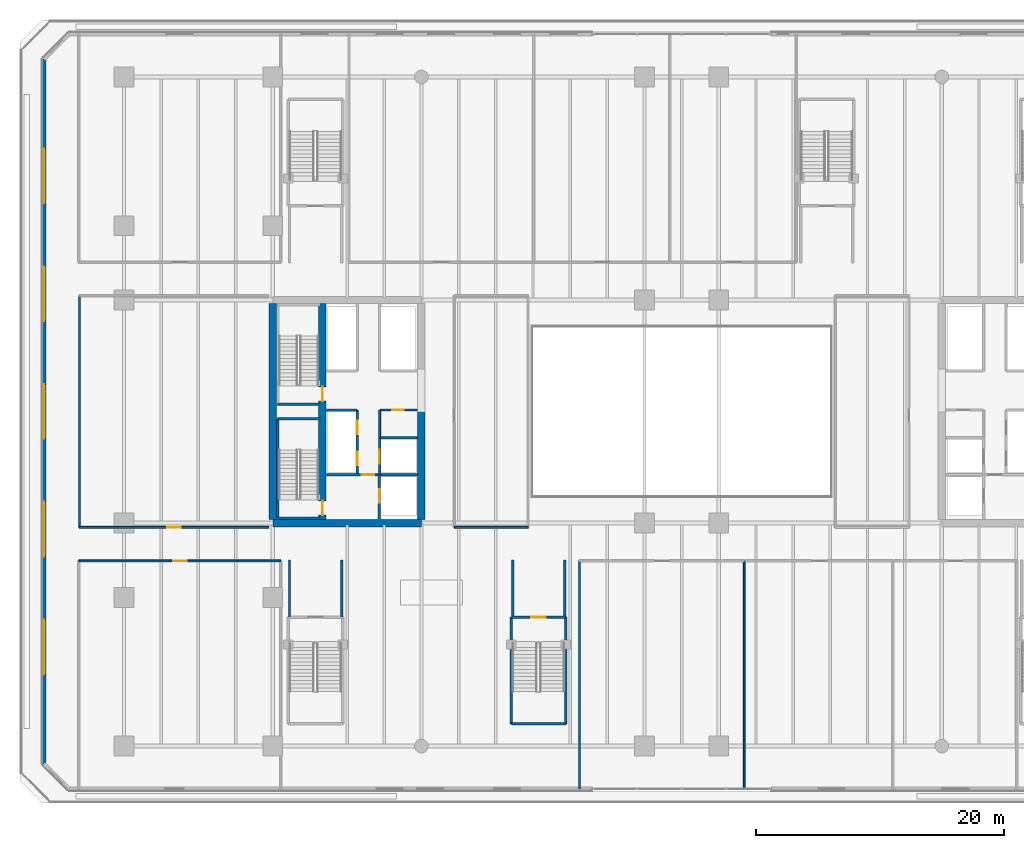
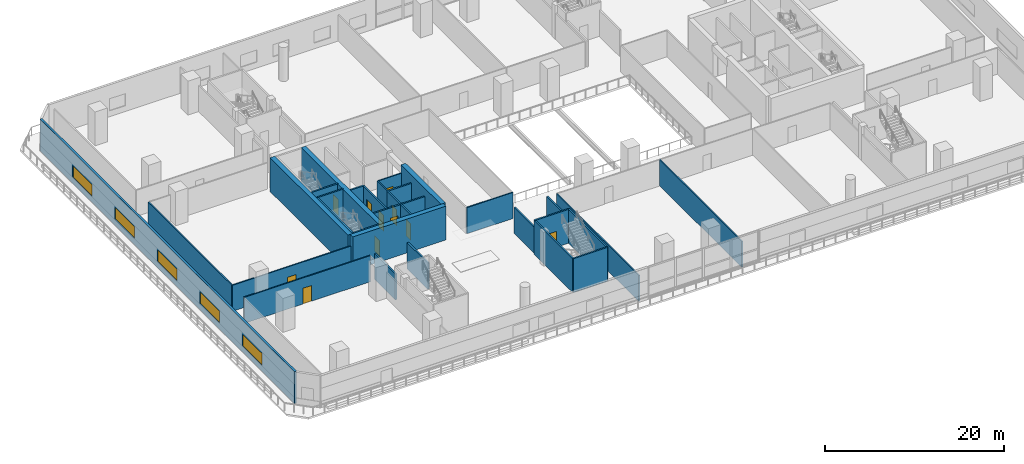
# One storey, part 10 of 27: 31 walls, 11 doors, 5 windows, 16 openings.
"""IFC4 building model written with IfcOpenShell, lengths in metres."""

from ifc_helpers import new_model, si_unit, direction, frame, frame_2d, origin, place, context, subcontext, project, spatial, rectangle, extrude, material, layer, layer_set, type_object, element, fill, save


model = new_model("IFC4")

# Units and contexts
model_context = context("Model", 3, precision=1e-05, world=origin(), true_north=direction((0.0, 1.0)))
body_context = subcontext(model_context, "Body", "Model", "MODEL_VIEW")
ifc_project = project(units=[si_unit("LENGTHUNIT", "METRE"), si_unit("AREAUNIT", "SQUARE_METRE"), si_unit("VOLUMEUNIT", "CUBIC_METRE"), si_unit("PLANEANGLEUNIT", "RADIAN"), si_unit("MASSUNIT", "GRAM", prefix="KILO")], contexts=[model_context])

# Site, building, storey
site_placement = place(None, origin())
site = spatial("IfcSite", under=ifc_project, at=site_placement, CompositionType="ELEMENT")
building_placement = place(site_placement, origin())
building = spatial("IfcBuilding", under=site, at=building_placement, Name="Tanjung Sevakor Pilgrim Tower", CompositionType="ELEMENT")
storey_placement = place(building_placement, frame((0.0, 0.0, 14.85009765625)))
storey = spatial("IfcBuildingStorey", under=building, at=storey_placement, Name="L04", CompositionType="ELEMENT", Elevation=14.85009765625)

# Walls
ifc_material_1 = material(Name="Concrete C60/75", Category="concrete")
ifc_layer_1 = layer(ifc_material_1, 0.60009765625)
ifc_layer_set_1 = layer_set([ifc_layer_1], Name="WALL-CW-600")
wall_type_1 = type_object("IfcWallType", Name="WALL-CW-600", PredefinedType="SHEAR", material=ifc_layer_set_1)
wall_1_placement = place(storey_placement, frame((24.0, 24.60009765625, 0.0), z_axis=(0.0, 0.0, 1.0), x_axis=(1.0, 0.0, 0.0)))
element("IfcWall", 1, at=wall_1_placement, inside=storey, type_object=wall_type_1, Name="L04 W Core South Shear Wall", PredefinedType="SHEAR", context=body_context, shape_type="SweptSolid", body=[
    extrude(rectangle(XDim=12.0, YDim=0.60009765625, at=frame_2d((6.0, 0.0))), origin(), (0.0, 0.0, 1.0), 4.619873046875),
])
wall_2_placement = place(storey_placement, frame((24.0, 24.89990234375, 0.0), z_axis=(0.0, 0.0, 1.0), x_axis=(0.0, 1.0, 0.0)))
element("IfcWall", 2, at=wall_2_placement, inside=storey, type_object=wall_type_1, Name="L04 W Core Outer Shear Wall", PredefinedType="SHEAR", context=body_context, shape_type="SweptSolid", body=[
    extrude(rectangle(XDim=17.400146484375, YDim=0.60009765625, at=frame_2d((8.7001953125, 0.0))), origin(), (0.0, 0.0, 1.0), 4.619873046875),
])
wall_3_placement = place(storey_placement, frame((36.0, 24.89990234375, 0.0), z_axis=(0.0, 0.0, 1.0), x_axis=(0.0, 1.0, 0.0)))
element("IfcWall", 3, at=wall_3_placement, inside=storey, type_object=wall_type_1, Name="L04 W Core Inner Shear Wall South", PredefinedType="SHEAR", context=body_context, shape_type="SweptSolid", body=[
    extrude(rectangle(XDim=8.900146484375, YDim=0.60009765625, at=frame_2d((4.4501953125, 0.0))), origin(), (0.0, 0.0, 1.0), 4.619873046875),
])

# Wall, openings, doors
wall_4_placement = place(storey_placement, frame((28.0, 24.89990234375, 0.0), z_axis=(0.0, 0.0, 1.0), x_axis=(0.0, 1.0, 0.0)))
wall_4 = element("IfcWall", 4, at=wall_4_placement, inside=storey, type_object=wall_type_1, Name="L04 W Core Stair Spine Wall", PredefinedType="SHEAR", context=body_context, shape_type="SweptSolid", body=[
    extrude(rectangle(XDim=17.400146484375, YDim=0.60009765625, at=frame_2d((8.7001953125, 0.0))), origin(), (0.0, 0.0, 1.0), 4.619873046875),
])
opening_1_placement = place(wall_4_placement, frame((0.35009765625, 0.0, 0.0)))
opening_1 = element("IfcOpeningElement", 5, at=opening_1_placement, cuts=wall_4, Name="Opening ID-ST1", PredefinedType="OPENING", context=body_context, shape_type="SweptSolid", body=[
    extrude(rectangle(XDim=1.14990234375, YDim=2.14990234375, at=frame_2d((0.574951171875, 1.074951171875))), frame((0.0, 0.31005859375, 0.0), z_axis=(0.0, -1.0, 0.0), x_axis=(1.0, 0.0, 0.0)), (0.0, 0.0, 1.0), 0.6201171875),
])
opening_2_placement = place(wall_4_placement, frame((9.550048828125, 0.0, 0.0)))
opening_2 = element("IfcOpeningElement", 6, at=opening_2_placement, cuts=wall_4, Name="Opening ID-ST1", PredefinedType="OPENING", context=body_context, shape_type="SweptSolid", body=[
    extrude(rectangle(XDim=1.14990234375, YDim=2.14990234375, at=frame_2d((0.574951171875, 1.074951171875))), frame((0.0, 0.31005859375, 0.0), z_axis=(0.0, -1.0, 0.0), x_axis=(1.0, 0.0, 0.0)), (0.0, 0.0, 1.0), 0.6201171875),
])
ifc_material_2 = material(Name="Fire-Rated Steel S355J2", Category="steel")
door_type_1 = type_object("IfcDoorType", Name="DT-FIRE-1150", OperationType="NOTDEFINED", PredefinedType="DOOR", material=ifc_material_2)
door_1_placement = place(opening_1_placement, origin())
door_1 = element("IfcDoor", 7, at=door_1_placement, inside=storey, type_object=door_type_1, Name="L04 TS-W1 Stair Fire Door", OperationType="SINGLE_SWING_RIGHT", OverallHeight=2.14990234375, OverallWidth=1.14990234375, PredefinedType="DOOR", context=body_context, shape_type="SweptSolid", body=[
    extrude(rectangle(XDim=1.14990234375, YDim=2.14990234375, at=frame_2d((0.574951171875, 1.074951171875))), frame((0.0, 0.02490234375, 0.0), z_axis=(0.0, -1.0, 0.0), x_axis=(1.0, 0.0, 0.0)), (0.0, 0.0, 1.0), 0.050048828125),
])
fill(opening_1, door_1)
door_2_placement = place(opening_2_placement, origin())
door_2 = element("IfcDoor", 8, at=door_2_placement, inside=storey, type_object=door_type_1, Name="L04 TS-W2 Stair Fire Door", OperationType="SINGLE_SWING_LEFT", OverallHeight=2.14990234375, OverallWidth=1.14990234375, PredefinedType="DOOR", context=body_context, shape_type="SweptSolid", body=[
    extrude(rectangle(XDim=1.14990234375, YDim=2.14990234375, at=frame_2d((0.574951171875, 1.074951171875))), frame((0.0, 0.02490234375, 0.0), z_axis=(0.0, -1.0, 0.0), x_axis=(1.0, 0.0, 0.0)), (0.0, 0.0, 1.0), 0.050048828125),
])
fill(opening_2, door_2)

# Wall
ifc_material_3 = material(Name="Concrete C40/50", Category="concrete")
ifc_layer_2 = layer(ifc_material_3, 0.14990234375)
ifc_layer_set_2 = layer_set([ifc_layer_2], Name="WT-COMP-150")
wall_type_2 = type_object("IfcWallType", Name="WT-COMP-150", PredefinedType="SOLIDWALL", material=ifc_layer_set_2)
wall_5_placement = place(storey_placement, frame((32.6201171875, 31.47998046875, 0.0), z_axis=(0.0, 0.0, 1.0), x_axis=(0.0, 1.0, 0.0)))
element("IfcWall", 9, at=wall_5_placement, inside=storey, type_object=wall_type_2, Name="L04 Partition IW-L04-007", PredefinedType="SOLIDWALL", context=body_context, shape_type="SweptSolid", body=[
    extrude(rectangle(XDim=2.239990234375, YDim=0.14990234375, at=frame_2d((1.1201171875, 0.0))), origin(), (0.0, 0.0, 1.0), 3.56005859375),
])

# Wall, opening, door
wall_6_placement = place(storey_placement, frame((32.679931640625, 33.719970703125, 0.0), z_axis=(0.0, 0.0, 1.0), x_axis=(1.0, 0.0, 0.0)))
wall_6 = element("IfcWall", 10, at=wall_6_placement, inside=storey, type_object=wall_type_2, Name="L04 Partition IW-L04-008", PredefinedType="SOLIDWALL", context=body_context, shape_type="SweptSolid", body=[
    extrude(rectangle(XDim=3.0, YDim=0.14990234375, at=frame_2d((1.5, 0.0))), origin(), (0.0, 0.0, 1.0), 3.56005859375),
])
opening_3_placement = place(wall_6_placement, frame((0.949951171875, 0.0, 0.0)))
opening_3 = element("IfcOpeningElement", 11, at=opening_3_placement, cuts=wall_6, Name="Opening ID-FD2", PredefinedType="OPENING", context=body_context, shape_type="SweptSolid", body=[
    extrude(rectangle(XDim=0.949951171875, YDim=2.14990234375, at=frame_2d((0.47509765625, 1.074951171875))), frame((0.0, 0.0849609375, 0.0), z_axis=(0.0, -1.0, 0.0), x_axis=(1.0, 0.0, 0.0)), (0.0, 0.0, 1.0), 0.169921875),
])
ifc_material_4 = material(Name="Fire-Rated Timber", Category="wood")
door_type_2 = type_object("IfcDoorType", Name="DT-FIRE-950", OperationType="NOTDEFINED", PredefinedType="DOOR", material=ifc_material_4)
door_3_placement = place(opening_3_placement, origin())
door_3 = element("IfcDoor", 12, at=door_3_placement, inside=storey, type_object=door_type_2, Name="L04 Accessible WC Door", OperationType="SINGLE_SWING_LEFT", OverallHeight=2.14990234375, OverallWidth=0.949951171875, PredefinedType="DOOR", context=body_context, shape_type="SweptSolid", body=[
    extrude(rectangle(XDim=0.949951171875, YDim=2.14990234375, at=frame_2d((0.47509765625, 1.074951171875))), frame((0.0, 0.02490234375, 0.0), z_axis=(0.0, -1.0, 0.0), x_axis=(1.0, 0.0, 0.0)), (0.0, 0.0, 1.0), 0.050048828125),
])
fill(opening_3, door_3)

wall_7_placement = place(storey_placement, frame((8.35009765625, 21.550048828125, 0.0), z_axis=(0.0, 0.0, 1.0), x_axis=(1.0, 0.0, 0.0)))
wall_7 = element("IfcWall", 13, at=wall_7_placement, inside=storey, type_object=wall_type_2, Name="L04 Partition IW-L04-037", PredefinedType="SOLIDWALL", context=body_context, shape_type="SweptSolid", body=[
    extrude(rectangle(XDim=16.2998046875, YDim=0.14990234375, at=frame_2d((8.14990234375, 0.0))), origin(), (0.0, 0.0, 1.0), 3.56005859375),
])
opening_4_placement = place(wall_7_placement, frame((7.60009765625, 0.0, 0.0)))
opening_4 = element("IfcOpeningElement", 14, at=opening_4_placement, cuts=wall_7, Name="Opening ID-RM2", PredefinedType="OPENING", context=body_context, shape_type="SweptSolid", body=[
    extrude(rectangle(XDim=1.10009765625, YDim=2.14990234375, at=frame_2d((0.550048828125, 1.074951171875))), frame((0.0, 0.0849609375, 0.0), z_axis=(0.0, -1.0, 0.0), x_axis=(1.0, 0.0, 0.0)), (0.0, 0.0, 1.0), 0.169921875),
])
ifc_material_5 = material(Name="Hardwood Timber", Category="wood")
door_type_3 = type_object("IfcDoorType", Name="DT-INT-1100", OperationType="NOTDEFINED", PredefinedType="DOOR", material=ifc_material_5)
door_4_placement = place(opening_4_placement, origin())
door_4 = element("IfcDoor", 15, at=door_4_placement, inside=storey, type_object=door_type_3, Name="L04 South Gallery Door 1", OperationType="SINGLE_SWING_RIGHT", OverallHeight=2.14990234375, OverallWidth=1.10009765625, PredefinedType="DOOR", context=body_context, shape_type="SweptSolid", body=[
    extrude(rectangle(XDim=1.10009765625, YDim=2.14990234375, at=frame_2d((0.550048828125, 1.074951171875))), frame((0.0, 0.02490234375, 0.0), z_axis=(0.0, -1.0, 0.0), x_axis=(1.0, 0.0, 0.0)), (0.0, 0.0, 1.0), 0.050048828125),
])
fill(opening_4, door_4)

# Walls
for number, where, z_axis, x_axis, name in (
    (16, (48.75, 3.139892578125, 0.0), (0.0, 0.0, 1.0), (0.0, 1.0, 0.0), "L04 Partition IW-L04-041"),
    (17, (62.050048828125, 3.139892578125, 0.0), (0.0, 0.0, 1.0), (0.0, 1.0, 0.0), "L04 Partition IW-L04-042"),
):
    element("IfcWall", number, at=place(storey_placement, frame(where, z_axis=z_axis, x_axis=x_axis)), inside=storey, type_object=wall_type_2, Name=name, PredefinedType="SOLIDWALL", context=body_context, shape_type="SweptSolid", body=[
        extrude(rectangle(XDim=18.41015625, YDim=0.14990234375, at=frame_2d((9.205078125, 0.0))), origin(), (0.0, 0.0, 1.0), 3.56005859375),
    ])
wall_8_placement = place(storey_placement, frame((38.64990234375, 24.25, 0.0), z_axis=(0.0, 0.0, 1.0), x_axis=(1.0, 0.0, 0.0)))
element("IfcWall", 18, at=wall_8_placement, inside=storey, type_object=wall_type_2, Name="L04 Partition IW-L04-061", PredefinedType="SOLIDWALL", context=body_context, shape_type="SweptSolid", body=[
    extrude(rectangle(XDim=5.9501953125, YDim=0.14990234375, at=frame_2d((2.97509765625, 0.0))), origin(), (0.0, 0.0, 1.0), 3.56005859375),
])

# Wall, opening, door
wall_9_placement = place(storey_placement, frame((8.39990234375, 24.25, 0.0), z_axis=(0.0, 0.0, 1.0), x_axis=(1.0, 0.0, 0.0)))
wall_9 = element("IfcWall", 19, at=wall_9_placement, inside=storey, type_object=wall_type_2, Name="L04 Partition IW-L04-069", PredefinedType="SOLIDWALL", context=body_context, shape_type="SweptSolid", body=[
    extrude(rectangle(XDim=15.280029296875, YDim=0.14990234375, at=frame_2d((7.64013671875, 0.0))), origin(), (0.0, 0.0, 1.0), 3.56005859375),
])
opening_5_placement = place(wall_9_placement, frame((7.090087890625, 0.0, 0.0)))
opening_5 = element("IfcOpeningElement", 20, at=opening_5_placement, cuts=wall_9, Name="Opening ID-RM2", PredefinedType="OPENING", context=body_context, shape_type="SweptSolid", body=[
    extrude(rectangle(XDim=1.10009765625, YDim=2.14990234375, at=frame_2d((0.550048828125, 1.074951171875))), frame((0.0, 0.0849609375, 0.0), z_axis=(0.0, -1.0, 0.0), x_axis=(1.0, 0.0, 0.0)), (0.0, 0.0, 1.0), 0.169921875),
])
door_5_placement = place(opening_5_placement, origin())
door_5 = element("IfcDoor", 21, at=door_5_placement, inside=storey, type_object=door_type_3, Name="L04 West Archive Door", OperationType="SINGLE_SWING_RIGHT", OverallHeight=2.14990234375, OverallWidth=1.10009765625, PredefinedType="DOOR", context=body_context, shape_type="SweptSolid", body=[
    extrude(rectangle(XDim=1.10009765625, YDim=2.14990234375, at=frame_2d((0.550048828125, 1.074951171875))), frame((0.0, 0.02490234375, 0.0), z_axis=(0.0, -1.0, 0.0), x_axis=(1.0, 0.0, 0.0)), (0.0, 0.0, 1.0), 0.050048828125),
])
fill(opening_5, door_5)

# Wall
wall_10_placement = place(storey_placement, frame((8.39990234375, 24.25, 0.0), z_axis=(0.0, 0.0, 1.0), x_axis=(0.0, 1.0, 0.0)))
element("IfcWall", 22, at=wall_10_placement, inside=storey, type_object=wall_type_2, Name="L04 Partition IW-L04-071", PredefinedType="SOLIDWALL", context=body_context, shape_type="SweptSolid", body=[
    extrude(rectangle(XDim=18.699951171875, YDim=0.14990234375, at=frame_2d((9.35009765625, 0.0))), origin(), (0.0, 0.0, 1.0), 3.56005859375),
])

# Wall, openings, windows
ifc_material_6 = material(Name="Precast concrete C45/55", Category="concrete")
ifc_layer_3 = layer(ifc_material_6, 0.280029296875)
ifc_layer_set_3 = layer_set([ifc_layer_3], Name="WT-EW-STN2")
wall_type_3 = type_object("IfcWallType", Name="WT-EW-STN2", PredefinedType="SOLIDWALL", material=ifc_layer_set_3)
wall_11_placement = place(storey_placement, frame((5.5400390625, 62.0419921875, 0.0), z_axis=(0.0, 0.0, 1.0), x_axis=(0.0, -1.0, 0.0)))
wall_11 = element("IfcWall", 23, at=wall_11_placement, inside=storey, type_object=wall_type_3, Name="L04 MAIN Exterior Wall 7", PredefinedType="SOLIDWALL", context=body_context, shape_type="SweptSolid", body=[
    extrude(rectangle(XDim=56.884033203125, YDim=0.280029296875, at=frame_2d((28.44189453125, 0.0))), origin(), (0.0, 0.0, 1.0), 4.340087890625),
])
opening_6_placement = place(wall_11_placement, frame((26.241943359375, 0.0, 0.780029296875)))
opening_6 = element("IfcOpeningElement", 24, at=opening_6_placement, cuts=wall_11, Name="Opening WN-ENDW-1660", PredefinedType="OPENING", context=body_context, shape_type="SweptSolid", body=[
    extrude(rectangle(XDim=4.39990234375, YDim=1.659912109375, at=frame_2d((2.199951171875, 0.830078125))), frame((0.0, 0.14990234375, 0.0), z_axis=(0.0, -1.0, 0.0), x_axis=(1.0, 0.0, 0.0)), (0.0, 0.0, 1.0), 0.300048828125),
])
opening_7_placement = place(wall_11_placement, frame((7.241943359375, 0.0, 0.780029296875)))
opening_7 = element("IfcOpeningElement", 25, at=opening_7_placement, cuts=wall_11, Name="Opening WN-ENDW-1660", PredefinedType="OPENING", context=body_context, shape_type="SweptSolid", body=[
    extrude(rectangle(XDim=4.39990234375, YDim=1.659912109375, at=frame_2d((2.199951171875, 0.830078125))), frame((0.0, 0.14990234375, 0.0), z_axis=(0.0, -1.0, 0.0), x_axis=(1.0, 0.0, 0.0)), (0.0, 0.0, 1.0), 0.300048828125),
])
opening_8_placement = place(wall_11_placement, frame((16.741943359375, 0.0, 0.780029296875)))
opening_8 = element("IfcOpeningElement", 26, at=opening_8_placement, cuts=wall_11, Name="Opening WN-ENDW-1660", PredefinedType="OPENING", context=body_context, shape_type="SweptSolid", body=[
    extrude(rectangle(XDim=4.39990234375, YDim=1.659912109375, at=frame_2d((2.199951171875, 0.830078125))), frame((0.0, 0.14990234375, 0.0), z_axis=(0.0, -1.0, 0.0), x_axis=(1.0, 0.0, 0.0)), (0.0, 0.0, 1.0), 0.300048828125),
])
opening_9_placement = place(wall_11_placement, frame((35.741943359375, 0.0, 0.780029296875)))
opening_9 = element("IfcOpeningElement", 27, at=opening_9_placement, cuts=wall_11, Name="Opening WN-ENDW-1660", PredefinedType="OPENING", context=body_context, shape_type="SweptSolid", body=[
    extrude(rectangle(XDim=4.39990234375, YDim=1.659912109375, at=frame_2d((2.199951171875, 0.830078125))), frame((0.0, 0.14990234375, 0.0), z_axis=(0.0, -1.0, 0.0), x_axis=(1.0, 0.0, 0.0)), (0.0, 0.0, 1.0), 0.300048828125),
])
opening_10_placement = place(wall_11_placement, frame((45.241943359375, 0.0, 0.780029296875)))
opening_10 = element("IfcOpeningElement", 28, at=opening_10_placement, cuts=wall_11, Name="Opening WN-ENDW-1660", PredefinedType="OPENING", context=body_context, shape_type="SweptSolid", body=[
    extrude(rectangle(XDim=4.39990234375, YDim=1.659912109375, at=frame_2d((2.199951171875, 0.830078125))), frame((0.0, 0.14990234375, 0.0), z_axis=(0.0, -1.0, 0.0), x_axis=(1.0, 0.0, 0.0)), (0.0, 0.0, 1.0), 0.300048828125),
])
ifc_material_7 = material(Name="Thermally Broken Aluminium and Low-E Glass", Category="aluminium")
window_type = type_object("IfcWindowType", Name="WTYP-WN-ENDW-1660", PartitioningType="DOUBLE_PANEL_VERTICAL", PredefinedType="WINDOW", material=ifc_material_7)
window_1_placement = place(opening_6_placement, origin())
window_1 = element("IfcWindow", 29, at=window_1_placement, inside=storey, type_object=window_type, Name="L04 Facade Window 01", OverallHeight=1.659912109375, OverallWidth=4.39990234375, PartitioningType="SINGLE_PANEL", PredefinedType="WINDOW", context=body_context, shape_type="SweptSolid", body=[
    extrude(rectangle(XDim=4.39990234375, YDim=1.659912109375, at=frame_2d((2.199951171875, 0.830078125))), frame((0.0, 0.030029296875, 0.0), z_axis=(0.0, -1.0, 0.0), x_axis=(1.0, 0.0, 0.0)), (0.0, 0.0, 1.0), 0.06005859375),
])
fill(opening_6, window_1)
window_2_placement = place(opening_7_placement, origin())
window_2 = element("IfcWindow", 30, at=window_2_placement, inside=storey, type_object=window_type, Name="L04 Facade Window 02", OverallHeight=1.659912109375, OverallWidth=4.39990234375, PartitioningType="SINGLE_PANEL", PredefinedType="WINDOW", context=body_context, shape_type="SweptSolid", body=[
    extrude(rectangle(XDim=4.39990234375, YDim=1.659912109375, at=frame_2d((2.199951171875, 0.830078125))), frame((0.0, 0.030029296875, 0.0), z_axis=(0.0, -1.0, 0.0), x_axis=(1.0, 0.0, 0.0)), (0.0, 0.0, 1.0), 0.06005859375),
])
fill(opening_7, window_2)
window_3_placement = place(opening_8_placement, origin())
window_3 = element("IfcWindow", 31, at=window_3_placement, inside=storey, type_object=window_type, Name="L04 Facade Window 03", OverallHeight=1.659912109375, OverallWidth=4.39990234375, PartitioningType="SINGLE_PANEL", PredefinedType="WINDOW", context=body_context, shape_type="SweptSolid", body=[
    extrude(rectangle(XDim=4.39990234375, YDim=1.659912109375, at=frame_2d((2.199951171875, 0.830078125))), frame((0.0, 0.030029296875, 0.0), z_axis=(0.0, -1.0, 0.0), x_axis=(1.0, 0.0, 0.0)), (0.0, 0.0, 1.0), 0.06005859375),
])
fill(opening_8, window_3)
window_4_placement = place(opening_9_placement, origin())
window_4 = element("IfcWindow", 32, at=window_4_placement, inside=storey, type_object=window_type, Name="L04 Facade Window 04", OverallHeight=1.659912109375, OverallWidth=4.39990234375, PartitioningType="SINGLE_PANEL", PredefinedType="WINDOW", context=body_context, shape_type="SweptSolid", body=[
    extrude(rectangle(XDim=4.39990234375, YDim=1.659912109375, at=frame_2d((2.199951171875, 0.830078125))), frame((0.0, 0.030029296875, 0.0), z_axis=(0.0, -1.0, 0.0), x_axis=(1.0, 0.0, 0.0)), (0.0, 0.0, 1.0), 0.06005859375),
])
fill(opening_9, window_4)
window_5_placement = place(opening_10_placement, origin())
window_5 = element("IfcWindow", 33, at=window_5_placement, inside=storey, type_object=window_type, Name="L04 Facade Window 05", OverallHeight=1.659912109375, OverallWidth=4.39990234375, PartitioningType="SINGLE_PANEL", PredefinedType="WINDOW", context=body_context, shape_type="SweptSolid", body=[
    extrude(rectangle(XDim=4.39990234375, YDim=1.659912109375, at=frame_2d((2.199951171875, 0.830078125))), frame((0.0, 0.030029296875, 0.0), z_axis=(0.0, -1.0, 0.0), x_axis=(1.0, 0.0, 0.0)), (0.0, 0.0, 1.0), 0.06005859375),
])
fill(opening_10, window_5)

# Walls
ifc_material_8 = material(Name="Concrete C40/50", Category="concrete")
ifc_layer_4 = layer(ifc_material_8, 0.199951171875)
ifc_layer_set_4 = layer_set([ifc_layer_4], Name="WT-FIRE-200")
wall_type_4 = type_object("IfcWallType", Name="WT-FIRE-200", PredefinedType="SOLIDWALL", material=ifc_layer_set_4)
for number, where, z_axis, x_axis, name in (
    (34, (24.39990234375, 25.0, 0.0), (0.0, 0.0, 1.0), (1.0, 0.0, 0.0), "L04 TS-W1 Shaft Wall 1"),
    (35, (27.800048828125, 33.0, 0.0), (0.0, 0.0, 1.0), (-1.0, 0.0, 0.0), "L04 TS-W1 Shaft Wall 2"),
):
    element("IfcWall", number, at=place(storey_placement, frame(where, z_axis=z_axis, x_axis=x_axis)), inside=storey, type_object=wall_type_4, Name=name, PredefinedType="SOLIDWALL", context=body_context, shape_type="SweptSolid", body=[
        extrude(rectangle(XDim=3.400146484375, YDim=0.199951171875, at=frame_2d((1.7001953125, 0.0))), origin(), (0.0, 0.0, 1.0), 4.619873046875),
    ])
wall_12_placement = place(storey_placement, frame((24.39990234375, 33.0, 0.0), z_axis=(0.0, 0.0, 1.0), x_axis=(0.0, -1.0, 0.0)))
element("IfcWall", 36, at=wall_12_placement, inside=storey, type_object=wall_type_4, Name="L04 TS-W1 Shaft Wall 3", PredefinedType="SOLIDWALL", context=body_context, shape_type="SweptSolid", body=[
    extrude(rectangle(XDim=8.0, YDim=0.199951171875, at=frame_2d((4.0, 0.0))), origin(), (0.0, 0.0, 1.0), 4.619873046875),
])
wall_13_placement = place(storey_placement, frame((24.39990234375, 34.199951171875, 0.0), z_axis=(0.0, 0.0, 1.0), x_axis=(1.0, 0.0, 0.0)))
element("IfcWall", 37, at=wall_13_placement, inside=storey, type_object=wall_type_4, Name="L04 TS-W2 Shaft Wall 1", PredefinedType="SOLIDWALL", context=body_context, shape_type="SweptSolid", body=[
    extrude(rectangle(XDim=3.400146484375, YDim=0.199951171875, at=frame_2d((1.7001953125, 0.0))), origin(), (0.0, 0.0, 1.0), 4.619873046875),
])
wall_14_placement = place(storey_placement, frame((43.25, 8.39990234375, 0.0), z_axis=(0.0, 0.0, 1.0), x_axis=(1.0, 0.0, 0.0)))
element("IfcWall", 38, at=wall_14_placement, inside=storey, type_object=wall_type_4, Name="L04 PS-3 Shaft Wall 1", PredefinedType="SOLIDWALL", context=body_context, shape_type="SweptSolid", body=[
    extrude(rectangle(XDim=4.39990234375, YDim=0.199951171875, at=frame_2d((2.199951171875, 0.0))), origin(), (0.0, 0.0, 1.0), 4.619873046875),
])
wall_15_placement = place(storey_placement, frame((47.64990234375, 8.39990234375, 0.0), z_axis=(0.0, 0.0, 1.0), x_axis=(0.0, 1.0, 0.0)))
element("IfcWall", 39, at=wall_15_placement, inside=storey, type_object=wall_type_4, Name="L04 PS-3 Shaft Wall 2", PredefinedType="SOLIDWALL", context=body_context, shape_type="SweptSolid", body=[
    extrude(rectangle(XDim=8.60009765625, YDim=0.199951171875, at=frame_2d((4.300048828125, 0.0))), origin(), (0.0, 0.0, 1.0), 4.619873046875),
])

# Wall, opening, door
wall_16_placement = place(storey_placement, frame((47.64990234375, 17.0, 0.0), z_axis=(0.0, 0.0, 1.0), x_axis=(-1.0, 0.0, 0.0)))
wall_16 = element("IfcWall", 40, at=wall_16_placement, inside=storey, type_object=wall_type_4, Name="L04 PS-3 Shaft Wall 3", PredefinedType="SOLIDWALL", context=body_context, shape_type="SweptSolid", body=[
    extrude(rectangle(XDim=4.39990234375, YDim=0.199951171875, at=frame_2d((2.199951171875, 0.0))), origin(), (0.0, 0.0, 1.0), 4.619873046875),
])
opening_11_placement = place(wall_16_placement, frame((1.625, 0.0, 0.0)))
opening_11 = element("IfcOpeningElement", 41, at=opening_11_placement, cuts=wall_16, Name="Opening ID-ST1", PredefinedType="OPENING", context=body_context, shape_type="SweptSolid", body=[
    extrude(rectangle(XDim=1.14990234375, YDim=2.14990234375, at=frame_2d((0.574951171875, 1.074951171875))), frame((0.0, 0.10986328125, 0.0), z_axis=(0.0, -1.0, 0.0), x_axis=(1.0, 0.0, 0.0)), (0.0, 0.0, 1.0), 0.219970703125),
])
door_6_placement = place(opening_11_placement, origin())
door_6 = element("IfcDoor", 42, at=door_6_placement, inside=storey, type_object=door_type_1, Name="L04 PS-3 Stair Entry Fire Door", OperationType="SINGLE_SWING_RIGHT", OverallHeight=2.14990234375, OverallWidth=1.14990234375, PredefinedType="DOOR", context=body_context, shape_type="SweptSolid", body=[
    extrude(rectangle(XDim=1.14990234375, YDim=2.14990234375, at=frame_2d((0.574951171875, 1.074951171875))), frame((0.0, 0.02490234375, 0.0), z_axis=(0.0, -1.0, 0.0), x_axis=(1.0, 0.0, 0.0)), (0.0, 0.0, 1.0), 0.050048828125),
])
fill(opening_11, door_6)

# Wall
wall_17_placement = place(storey_placement, frame((43.25, 17.0, 0.0), z_axis=(0.0, 0.0, 1.0), x_axis=(0.0, -1.0, 0.0)))
element("IfcWall", 43, at=wall_17_placement, inside=storey, type_object=wall_type_4, Name="L04 PS-3 Shaft Wall 4", PredefinedType="SOLIDWALL", context=body_context, shape_type="SweptSolid", body=[
    extrude(rectangle(XDim=8.60009765625, YDim=0.199951171875, at=frame_2d((4.300048828125, 0.0))), origin(), (0.0, 0.0, 1.0), 4.619873046875),
])

# Wall, opening, door
ifc_material_9 = material(Name="Concrete C40/50", Category="concrete")
ifc_layer_5 = layer(ifc_material_9, 0.199951171875)
ifc_layer_set_5 = layer_set([ifc_layer_5], Name="WT-FPRT-200")
wall_type_5 = type_object("IfcWallType", Name="WT-FPRT-200", PredefinedType="SOLIDWALL", material=ifc_layer_set_5)
wall_18_placement = place(storey_placement, frame((32.60009765625, 24.919921875, 0.0), z_axis=(0.0, 0.0, 1.0), x_axis=(0.0, 1.0, 0.0)))
wall_18 = element("IfcWall", 44, at=wall_18_placement, inside=storey, type_object=wall_type_5, Name="L04 Partition IW-L04-001", PredefinedType="SOLIDWALL", context=body_context, shape_type="SweptSolid", body=[
    extrude(rectangle(XDim=3.580078125, YDim=0.199951171875, at=frame_2d((1.7900390625, 0.0))), origin(), (0.0, 0.0, 1.0), 3.56005859375),
])
opening_12_placement = place(wall_18_placement, frame((1.300048828125, 0.0, 0.0)))
opening_12 = element("IfcOpeningElement", 45, at=opening_12_placement, cuts=wall_18, Name="Opening LD-1100", PredefinedType="OPENING", context=body_context, shape_type="SweptSolid", body=[
    extrude(rectangle(XDim=1.10009765625, YDim=2.199951171875, at=frame_2d((0.550048828125, 1.10009765625))), frame((0.0, 0.10986328125, 0.0), z_axis=(0.0, -1.0, 0.0), x_axis=(1.0, 0.0, 0.0)), (0.0, 0.0, 1.0), 0.219970703125),
])
ifc_material_10 = material(Name="Brushed Stainless Steel S355J2", Category="steel")
door_type_4 = type_object("IfcDoorType", Name="DT-LIFT-1100", OperationType="SLIDING_TO_LEFT", PredefinedType="DOOR", material=ifc_material_10)
door_7_placement = place(opening_12_placement, origin())
door_7 = element("IfcDoor", 46, at=door_7_placement, inside=storey, type_object=door_type_4, Name="LD-FL-W", OperationType="SLIDING_TO_LEFT", OverallHeight=2.199951171875, OverallWidth=1.10009765625, PredefinedType="DOOR", context=body_context, shape_type="SweptSolid", body=[
    extrude(rectangle(XDim=1.10009765625, YDim=2.199951171875, at=frame_2d((0.550048828125, 1.10009765625))), frame((0.0, 0.02490234375, 0.0), z_axis=(0.0, -1.0, 0.0), x_axis=(1.0, 0.0, 0.0)), (0.0, 0.0, 1.0), 0.050048828125),
])
fill(opening_12, door_7)

wall_19_placement = place(storey_placement, frame((28.320068359375, 28.5, 0.0), z_axis=(0.0, 0.0, 1.0), x_axis=(1.0, 0.0, 0.0)))
wall_19 = element("IfcWall", 47, at=wall_19_placement, inside=storey, type_object=wall_type_5, Name="L04 Partition IW-L04-002", PredefinedType="SOLIDWALL", context=body_context, shape_type="SweptSolid", body=[
    extrude(rectangle(XDim=7.35986328125, YDim=0.199951171875, at=frame_2d((3.679931640625, 0.0))), origin(), (0.0, 0.0, 1.0), 3.56005859375),
])
opening_13_placement = place(wall_19_placement, frame((2.8798828125, 0.0, 0.0)))
opening_13 = element("IfcOpeningElement", 48, at=opening_13_placement, cuts=wall_19, Name="Opening ID-FD1", PredefinedType="OPENING", context=body_context, shape_type="SweptSolid", body=[
    extrude(rectangle(XDim=1.0, YDim=2.14990234375, at=frame_2d((0.5, 1.074951171875))), frame((0.0, 0.10986328125, 0.0), z_axis=(0.0, -1.0, 0.0), x_axis=(1.0, 0.0, 0.0)), (0.0, 0.0, 1.0), 0.219970703125),
])
ifc_material_11 = material(Name="Fire-Rated Steel S355J2", Category="steel")
door_type_5 = type_object("IfcDoorType", Name="DT-FIRE-1000", OperationType="NOTDEFINED", PredefinedType="DOOR", material=ifc_material_11)
door_8_placement = place(opening_13_placement, origin())
door_8 = element("IfcDoor", 49, at=door_8_placement, inside=storey, type_object=door_type_5, Name="Fire Lobby Door W", OperationType="SINGLE_SWING_LEFT", OverallHeight=2.14990234375, OverallWidth=1.0, PredefinedType="DOOR", context=body_context, shape_type="SweptSolid", body=[
    extrude(rectangle(XDim=1.0, YDim=2.14990234375, at=frame_2d((0.5, 1.074951171875))), frame((0.0, 0.02490234375, 0.0), z_axis=(0.0, -1.0, 0.0), x_axis=(1.0, 0.0, 0.0)), (0.0, 0.0, 1.0), 0.050048828125),
])
fill(opening_13, door_8)

# Wall
wall_20_placement = place(storey_placement, frame((28.320068359375, 33.719970703125, 0.0), z_axis=(0.0, 0.0, 1.0), x_axis=(1.0, 0.0, 0.0)))
element("IfcWall", 50, at=wall_20_placement, inside=storey, type_object=wall_type_5, Name="L04 Partition IW-L04-003", PredefinedType="SOLIDWALL", context=body_context, shape_type="SweptSolid", body=[
    extrude(rectangle(XDim=2.47998046875, YDim=0.199951171875, at=frame_2d((1.239990234375, 0.0))), origin(), (0.0, 0.0, 1.0), 3.56005859375),
])

# Wall, openings, doors
wall_21_placement = place(storey_placement, frame((30.820068359375, 28.5, 0.0), z_axis=(0.0, 0.0, 1.0), x_axis=(0.0, 1.0, 0.0)))
wall_21 = element("IfcWall", 51, at=wall_21_placement, inside=storey, type_object=wall_type_5, Name="L04 Partition IW-L04-004", PredefinedType="SOLIDWALL", context=body_context, shape_type="SweptSolid", body=[
    extrude(rectangle(XDim=5.219970703125, YDim=0.199951171875, at=frame_2d((2.60986328125, 0.0))), origin(), (0.0, 0.0, 1.0), 3.56005859375),
])
opening_14_placement = place(wall_21_placement, frame((0.75, 0.0, 0.0)))
opening_14 = element("IfcOpeningElement", 52, at=opening_14_placement, cuts=wall_21, Name="Opening LD-1100", PredefinedType="OPENING", context=body_context, shape_type="SweptSolid", body=[
    extrude(rectangle(XDim=1.10009765625, YDim=2.199951171875, at=frame_2d((0.550048828125, 1.10009765625))), frame((0.0, 0.10986328125, 0.0), z_axis=(0.0, -1.0, 0.0), x_axis=(1.0, 0.0, 0.0)), (0.0, 0.0, 1.0), 0.219970703125),
])
opening_15_placement = place(wall_21_placement, frame((3.25, 0.0, 0.0)))
opening_15 = element("IfcOpeningElement", 53, at=opening_15_placement, cuts=wall_21, Name="Opening LD-1100", PredefinedType="OPENING", context=body_context, shape_type="SweptSolid", body=[
    extrude(rectangle(XDim=1.10009765625, YDim=2.199951171875, at=frame_2d((0.550048828125, 1.10009765625))), frame((0.0, 0.10986328125, 0.0), z_axis=(0.0, -1.0, 0.0), x_axis=(1.0, 0.0, 0.0)), (0.0, 0.0, 1.0), 0.219970703125),
])
door_9_placement = place(opening_14_placement, origin())
door_9 = element("IfcDoor", 54, at=door_9_placement, inside=storey, type_object=door_type_4, Name="LD-PLL1-W", OperationType="SLIDING_TO_LEFT", OverallHeight=2.199951171875, OverallWidth=1.10009765625, PredefinedType="DOOR", context=body_context, shape_type="SweptSolid", body=[
    extrude(rectangle(XDim=1.10009765625, YDim=2.199951171875, at=frame_2d((0.550048828125, 1.10009765625))), frame((0.0, 0.02490234375, 0.0), z_axis=(0.0, -1.0, 0.0), x_axis=(1.0, 0.0, 0.0)), (0.0, 0.0, 1.0), 0.050048828125),
])
fill(opening_14, door_9)
door_10_placement = place(opening_15_placement, origin())
door_10 = element("IfcDoor", 55, at=door_10_placement, inside=storey, type_object=door_type_4, Name="LD-PLL2-W", OperationType="SLIDING_TO_RIGHT", OverallHeight=2.199951171875, OverallWidth=1.10009765625, PredefinedType="DOOR", context=body_context, shape_type="SweptSolid", body=[
    extrude(rectangle(XDim=1.10009765625, YDim=2.199951171875, at=frame_2d((0.550048828125, 1.10009765625))), frame((0.0, 0.02490234375, 0.0), z_axis=(0.0, -1.0, 0.0), x_axis=(1.0, 0.0, 0.0)), (0.0, 0.0, 1.0), 0.050048828125),
])
fill(opening_15, door_10)

# Wall
wall_22_placement = place(storey_placement, frame((32.679931640625, 31.47998046875, 0.0), z_axis=(0.0, 0.0, 1.0), x_axis=(1.0, 0.0, 0.0)))
element("IfcWall", 56, at=wall_22_placement, inside=storey, type_object=wall_type_5, Name="L04 Partition IW-L04-005", PredefinedType="SOLIDWALL", context=body_context, shape_type="SweptSolid", body=[
    extrude(rectangle(XDim=3.0, YDim=0.199951171875, at=frame_2d((1.5, 0.0))), origin(), (0.0, 0.0, 1.0), 3.56005859375),
])

# Wall, opening, door
wall_23_placement = place(storey_placement, frame((32.6201171875, 28.5, 0.0), z_axis=(0.0, 0.0, 1.0), x_axis=(0.0, 1.0, 0.0)))
wall_23 = element("IfcWall", 57, at=wall_23_placement, inside=storey, type_object=wall_type_5, Name="L04 Partition IW-L04-006", PredefinedType="SOLIDWALL", context=body_context, shape_type="SweptSolid", body=[
    extrude(rectangle(XDim=2.97998046875, YDim=0.199951171875, at=frame_2d((1.489990234375, 0.0))), origin(), (0.0, 0.0, 1.0), 3.56005859375),
])
opening_16_placement = place(wall_23_placement, frame((0.89990234375, 0.0, 0.0)))
opening_16 = element("IfcOpeningElement", 58, at=opening_16_placement, cuts=wall_23, Name="Opening LD-1100", PredefinedType="OPENING", context=body_context, shape_type="SweptSolid", body=[
    extrude(rectangle(XDim=1.10009765625, YDim=2.199951171875, at=frame_2d((0.550048828125, 1.10009765625))), frame((0.0, 0.10986328125, 0.0), z_axis=(0.0, -1.0, 0.0), x_axis=(1.0, 0.0, 0.0)), (0.0, 0.0, 1.0), 0.219970703125),
])
door_11_placement = place(opening_16_placement, origin())
door_11 = element("IfcDoor", 59, at=door_11_placement, inside=storey, type_object=door_type_4, Name="LD-SLP-W", OperationType="SLIDING_TO_LEFT", OverallHeight=2.199951171875, OverallWidth=1.10009765625, PredefinedType="DOOR", context=body_context, shape_type="SweptSolid", body=[
    extrude(rectangle(XDim=1.10009765625, YDim=2.199951171875, at=frame_2d((0.550048828125, 1.10009765625))), frame((0.0, 0.02490234375, 0.0), z_axis=(0.0, -1.0, 0.0), x_axis=(1.0, 0.0, 0.0)), (0.0, 0.0, 1.0), 0.050048828125),
])
fill(opening_16, door_11)

# Walls
for number, where, z_axis, x_axis, name in (
    (60, (25.35009765625, 17.0, 0.0), (0.0, 0.0, 1.0), (0.0, 1.0, 0.0), "L04 Partition IW-L04-025"),
    (61, (29.550048828125, 17.0, 0.0), (0.0, 0.0, 1.0), (0.0, 1.0, 0.0), "L04 Partition IW-L04-026"),
    (62, (43.35009765625, 17.0, 0.0), (0.0, 0.0, 1.0), (0.0, 1.0, 0.0), "L04 Partition IW-L04-027"),
    (63, (47.550048828125, 17.0, 0.0), (0.0, 0.0, 1.0), (0.0, 1.0, 0.0), "L04 Partition IW-L04-028"),
):
    element("IfcWall", number, at=place(storey_placement, frame(where, z_axis=z_axis, x_axis=x_axis)), inside=storey, type_object=wall_type_5, Name=name, PredefinedType="SOLIDWALL", context=body_context, shape_type="SweptSolid", body=[
        extrude(rectangle(XDim=4.60009765625, YDim=0.199951171875, at=frame_2d((2.300048828125, 0.0))), origin(), (0.0, 0.0, 1.0), 3.56005859375),
    ])

save(model, "model.ifc")
